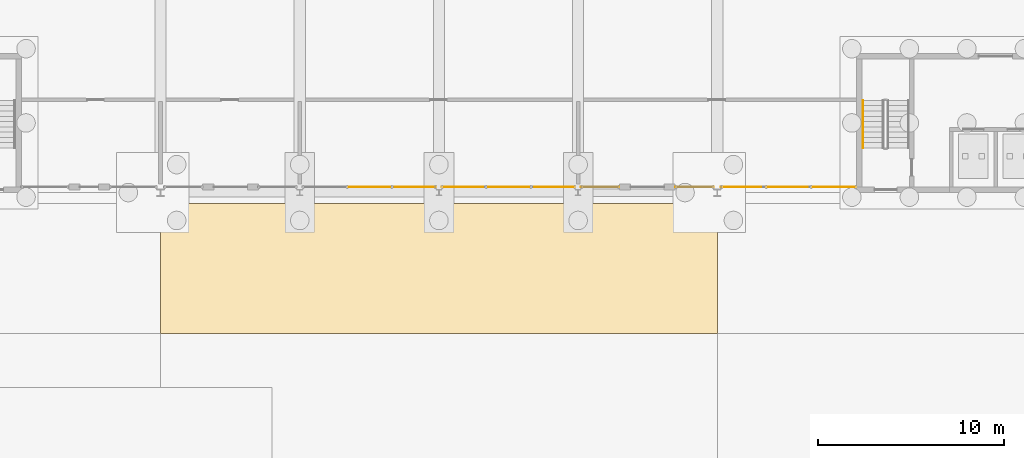
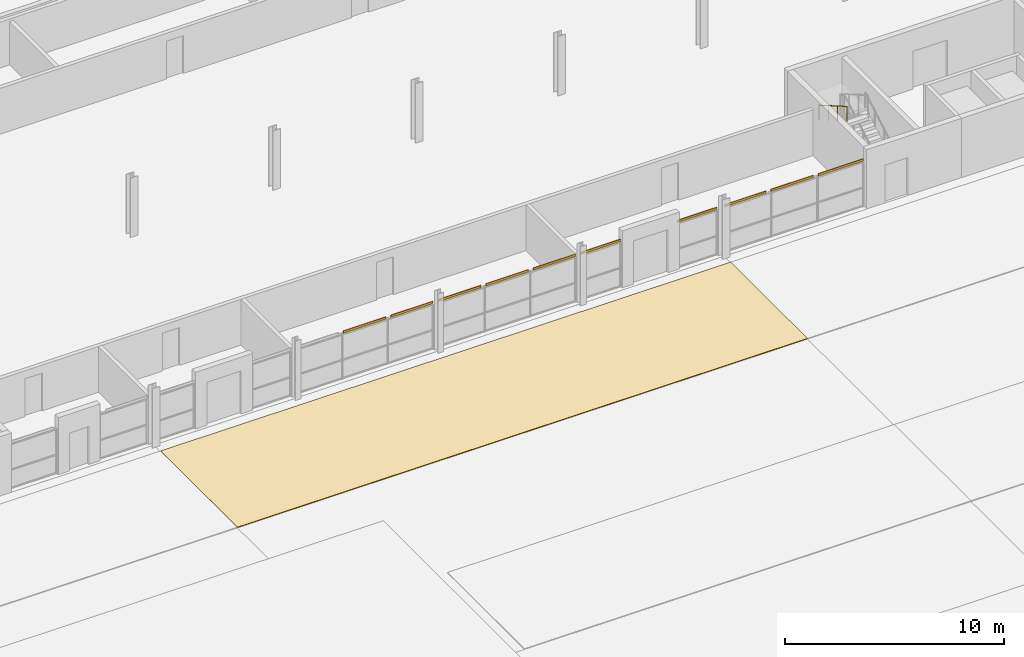
# One storey, part 115 of 130: 11 coverings, 1 railing.
"""IFC4 building model written with IfcOpenShell, lengths in metres."""

import ifcopenshell
import ifcopenshell.guid

model = None  # the IFC model being written
_history = None  # IfcOwnerHistory: only IFC2X3 demands one
_inside = {}  # id of a spatial element -> (the spatial element, [elements in it])
_under = {}  # id of a project, library or spatial element -> (it, [spatial elements below it])
_declared = {}  # id of a project -> (the project, [libraries it declares])
_typed = {}  # id of a type object -> (the type object, [elements of that type])
_made_of = {}  # id of a material, layer set ... -> (it, [elements and type objects made of it])


def new_model(schema):
    """Start an empty IFC model of exactly this schema.

    Asked for "IFC4X3", IfcOpenShell would pick the latest addendum, in which some entities
    have other attributes; the version numbers below select the first issue.
    IFC2X3 requires an IfcOwnerHistory on every rooted entity: one is made here for all.
    """
    global model, _history
    if schema == "IFC4X3":
        model = ifcopenshell.file(schema_version=(4, 3, 0, 0))
    else:
        model = ifcopenshell.file(schema=schema)
    _inside.clear()
    _under.clear()
    _declared.clear()
    _typed.clear()
    _made_of.clear()
    _history = None
    if model.schema == "IFC2X3":
        org = make("IfcOrganization", Name="unknown")
        user = make(
            "IfcPersonAndOrganization",
            ThePerson=make("IfcPerson", FamilyName="unknown"),
            TheOrganization=org,
        )
        app = make(
            "IfcApplication",
            ApplicationDeveloper=org,
            Version="unknown",
            ApplicationFullName="unknown",
            ApplicationIdentifier="unknown",
        )
        _history = make(
            "IfcOwnerHistory",
            OwningUser=user,
            OwningApplication=app,
            ChangeAction="ADDED",
            CreationDate=0,
        )
    return model


def make(cls, **values):
    """One entity of the class cls with the attributes given. An attribute that is None is left unset."""
    return model.create_entity(
        cls, **{name: value for name, value in values.items() if value is not None}
    )


def rooted(cls, **values):
    """An entity with a GlobalId (a new one), such as an element, a storey or a relation."""
    return make(cls, GlobalId=ifcopenshell.guid.new(), OwnerHistory=_history, **values)


def si_unit(unit_type, name, prefix=None):
    """IfcSIUnit, for example si_unit("LENGTHUNIT", "METRE", prefix="MILLI")."""
    return make("IfcSIUnit", UnitType=unit_type, Prefix=prefix, Name=name)


def assignment(units):
    """IfcUnitAssignment: the units of a project."""
    return None if units is None else make("IfcUnitAssignment", Units=units)


def point(xyz):
    """IfcCartesianPoint."""
    return None if xyz is None else make("IfcCartesianPoint", Coordinates=xyz)


def direction(xyz):
    """IfcDirection."""
    return None if xyz is None else make("IfcDirection", DirectionRatios=xyz)


def frame(location, z_axis=None, x_axis=None):
    """IfcAxis2Placement3D, a coordinate frame: its origin and axes. An axis left out is left unset."""
    return make(
        "IfcAxis2Placement3D",
        Location=point(location),
        Axis=direction(z_axis),
        RefDirection=direction(x_axis),
    )


def frame_2d(location, x_axis=None):
    """IfcAxis2Placement2D, a coordinate frame in the plane: its origin and x axis."""
    return make(
        "IfcAxis2Placement2D", Location=point(location), RefDirection=direction(x_axis)
    )


def origin():
    """The frame at (0, 0, 0) with its axes left unset."""
    return frame((0.0, 0.0, 0.0))


def origin_2d():
    """The frame at (0, 0) in the plane with its x axis left unset."""
    return frame_2d((0.0, 0.0))


def place(relative_to, where):
    """IfcLocalPlacement: puts the frame where relative to a parent placement (None: the world)."""
    return make(
        "IfcLocalPlacement", PlacementRelTo=relative_to, RelativePlacement=where
    )


def context(
    kind, dimensions, precision=None, world=None, true_north=None, identifier=None
):
    """IfcGeometricRepresentationContext, for example the 3D "Model" context."""
    return make(
        "IfcGeometricRepresentationContext",
        ContextIdentifier=identifier,
        ContextType=kind,
        CoordinateSpaceDimension=dimensions,
        Precision=precision,
        WorldCoordinateSystem=world,
        TrueNorth=true_north,
    )


def subcontext(parent, identifier, kind, view, scale=None):
    """IfcGeometricRepresentationSubContext, for example "Body" below "Model"."""
    return make(
        "IfcGeometricRepresentationSubContext",
        ContextIdentifier=identifier,
        ContextType=kind,
        ParentContext=parent,
        TargetScale=scale,
        TargetView=view,
    )


def project(units=None, contexts=None):
    """IfcProject with its units and contexts."""
    return rooted(
        "IfcProject",
        Name="project",
        RepresentationContexts=contexts,
        UnitsInContext=assignment(units),
    )


def spatial(cls, under=None, at=None, **own):
    """A site, building, storey or space (cls), placed at a placement, below another one or the project."""
    s = rooted(cls, ObjectPlacement=at, **own)
    if under is not None:
        _under.setdefault(under.id(), (under, []))[1].append(s)
    return s


def polyline(points):
    """IfcPolyline through the points."""
    return make("IfcPolyline", Points=[point(p) for p in points])


def profile(cls, at=None, kind="AREA", **sizes):
    """A parametric profile (cls). Its sizes go by their IFC names, for example OverallWidth=200.0."""
    return make(cls, ProfileType=kind, Position=at, **sizes)


def rectangle(**sizes):
    """IfcRectangleProfileDef."""
    return profile("IfcRectangleProfileDef", **sizes)


def circle(**sizes):
    """IfcCircleProfileDef."""
    return profile("IfcCircleProfileDef", **sizes)


def outline(outer, holes=None, kind="AREA"):
    """IfcArbitraryClosedProfileDef: a profile drawn as a closed curve; with holes, ...WithVoids."""
    if holes is None:
        return make("IfcArbitraryClosedProfileDef", ProfileType=kind, OuterCurve=outer)
    return make(
        "IfcArbitraryProfileDefWithVoids",
        ProfileType=kind,
        OuterCurve=outer,
        InnerCurves=holes,
    )


def extrude(swept, where, along, depth):
    """IfcExtrudedAreaSolid: the profile swept, set in the frame where, extruded along a direction by depth."""
    return make(
        "IfcExtrudedAreaSolid",
        SweptArea=swept,
        Position=where,
        ExtrudedDirection=direction(along),
        Depth=depth,
    )


def shape(context_of_items, identifier, shape_type, items):
    """IfcShapeRepresentation: the items that make up one representation, for example the "Body"."""
    return make(
        "IfcShapeRepresentation",
        ContextOfItems=context_of_items,
        RepresentationIdentifier=identifier,
        RepresentationType=shape_type,
        Items=items,
    )


def material(Name=None, Category=None):
    """IfcMaterial."""
    return make("IfcMaterial", Name=Name, Category=Category)


def layer(
    of_material, thickness, ventilated=None, Name=None, Category=None, Priority=None
):
    """IfcMaterialLayer: one layer of a wall or slab, of a material (None: an air gap)."""
    return make(
        "IfcMaterialLayer",
        Material=of_material,
        LayerThickness=thickness,
        IsVentilated=ventilated,
        Name=Name,
        Category=Category,
        Priority=Priority,
    )


def layer_set(layers, Name=None):
    """IfcMaterialLayerSet."""
    return make("IfcMaterialLayerSet", MaterialLayers=layers, LayerSetName=Name)


def made_of(thing, what):
    """Note that an element or type object is made of a material, layer set ...; save() writes the relation."""
    if what is not None:
        _made_of.setdefault(what.id(), (what, []))[1].append(thing)
    return thing


def type_object(cls, material=None, **own):
    """A type object (cls), such as IfcWallType, which elements share."""
    return made_of(rooted(cls, **own), material)


def element(
    cls,
    number,
    at=None,
    inside=None,
    cuts=None,
    type_object=None,
    material=None,
    context=None,
    identifier="Body",
    shape_type=None,
    held_by="IfcProductDefinitionShape",
    body=None,
    shapes=None,
    **own,
):
    """One element of the class cls, such as IfcWall. Its Tag is "e" and its number.

    at: its placement. inside: the storey or other place that contains it. cuts: it is an
    opening in that element (IfcRelVoidsElement). A single representation is given by context,
    identifier, shape_type and body (its items); several are given by shapes. held_by: the class
    of the entity that holds the representations. save() writes the other relations.
    """
    e = rooted(cls, Tag="e%d" % number, ObjectPlacement=at, **own)
    if body is not None:
        shapes = [shape(context, identifier, shape_type, body)]
    if shapes is not None:
        e.Representation = make(held_by, Representations=shapes)
    if inside is not None:
        _inside.setdefault(inside.id(), (inside, []))[1].append(e)
    if cuts is not None:
        rooted(
            "IfcRelVoidsElement", RelatingBuildingElement=cuts, RelatedOpeningElement=e
        )
    if type_object is not None:
        _typed.setdefault(type_object.id(), (type_object, []))[1].append(e)
    return made_of(e, material)


def aggregate(whole, parts):
    """IfcRelAggregates: a whole, such as a stair, and the parts it consists of."""
    return rooted("IfcRelAggregates", RelatingObject=whole, RelatedObjects=parts)


def save(model, path):
    """Write the relations noted so far, then the file.

    IfcRelAggregates (storeys below a building ...), IfcRelContainedInSpatialStructure (elements
    in a storey), IfcRelDefinesByType, IfcRelAssociatesMaterial and IfcRelDeclares: one each for
    every whole, place, type object, material and project.
    """
    for whole, parts in _under.values():
        aggregate(whole, parts)
    for where, things in _inside.values():
        rooted(
            "IfcRelContainedInSpatialStructure",
            RelatedElements=things,
            RelatingStructure=where,
        )
    for kind, things in _typed.values():
        rooted("IfcRelDefinesByType", RelatedObjects=things, RelatingType=kind)
    for what, things in _made_of.values():
        rooted("IfcRelAssociatesMaterial", RelatedObjects=things, RelatingMaterial=what)
    for by, libraries in _declared.values():
        rooted("IfcRelDeclares", RelatingContext=by, RelatedDefinitions=libraries)
    model.write(path)


model = new_model("IFC4")

# Units and contexts
model_context = context("Model", 3, precision=1e-05, world=origin(), true_north=direction((0.0, 1.0)))
body_context = subcontext(model_context, "Body", "Model", "MODEL_VIEW")
ifc_project = project(units=[si_unit("LENGTHUNIT", "METRE"), si_unit("AREAUNIT", "SQUARE_METRE"), si_unit("VOLUMEUNIT", "CUBIC_METRE"), si_unit("PLANEANGLEUNIT", "RADIAN"), si_unit("MASSUNIT", "GRAM", prefix="KILO")], contexts=[model_context])

# Site, building, storey
site_placement = place(None, origin())
site = spatial("IfcSite", under=ifc_project, at=site_placement, CompositionType="ELEMENT")
building_placement = place(site_placement, origin())
building = spatial("IfcBuilding", under=site, at=building_placement, Name="Parallax Yard Mobility Hub", CompositionType="ELEMENT")
storey_placement = place(building_placement, origin())
storey = spatial("IfcBuildingStorey", under=building, at=storey_placement, Name="L00", CompositionType="ELEMENT", Elevation=0.0)

# Coverings
ifc_material_1 = material(Name="Insulated aluminium spandrel panel", Category="aluminium")
ifc_layer_1 = layer(ifc_material_1, 0.028076171875)
ifc_layer_set_1 = layer_set([ifc_layer_1], Name="Curtain wall spandrel closer, insulated aluminium 28")
covering_type_1 = type_object("IfcCoveringType", Name="Curtain wall spandrel closer, insulated aluminium 28", PredefinedType="CLADDING", material=ifc_layer_set_1)
covering_1_placement = place(storey_placement, frame((101.25, 112.800048828125, 2.5), z_axis=(0.0, 0.0, 1.0), x_axis=(1.0, 0.0, 0.0)))
element("IfcCovering", 1, at=covering_1_placement, inside=storey, type_object=covering_type_1, Name="Curtain wall CW13 level L00 bay 9 spandrel closer 2", ObjectType="SCREEN", PredefinedType="CLADDING", context=body_context, shape_type="SweptSolid", body=[
    extrude(rectangle(XDim=2.251953125, YDim=0.028076171875, at=origin_2d()), origin(), (0.0, 0.0, 1.0), 0.126953125),
])
for number, where, z_axis, x_axis, name in (
    (2, (103.7353515625, 112.800048828125, 2.5), (0.0, 0.0, 1.0), (1.0, 0.0, 0.0), "Curtain wall CW13 level L00 bay 9 spandrel closer 3"),
    (3, (106.2646484375, 112.800048828125, 2.5), (0.0, 0.0, 1.0), (1.0, 0.0, 0.0), "Curtain wall CW14 level L00 bay 10 spandrel closer 1"),
):
    element("IfcCovering", number, at=place(storey_placement, frame(where, z_axis=z_axis, x_axis=x_axis)), inside=storey, type_object=covering_type_1, Name=name, ObjectType="SCREEN", PredefinedType="CLADDING", context=body_context, shape_type="SweptSolid", body=[
        extrude(rectangle(XDim=2.222412109375, YDim=0.028076171875, at=origin_2d()), origin(), (0.0, 0.0, 1.0), 0.126953125),
    ])
covering_2_placement = place(storey_placement, frame((108.75, 112.800048828125, 2.5), z_axis=(0.0, 0.0, 1.0), x_axis=(1.0, 0.0, 0.0)))
element("IfcCovering", 4, at=covering_2_placement, inside=storey, type_object=covering_type_1, Name="Curtain wall CW14 level L00 bay 10 spandrel closer 2", ObjectType="SCREEN", PredefinedType="CLADDING", context=body_context, shape_type="SweptSolid", body=[
    extrude(rectangle(XDim=2.251953125, YDim=0.028076171875, at=origin_2d()), origin(), (0.0, 0.0, 1.0), 0.126953125),
])
covering_3_placement = place(storey_placement, frame((111.2353515625, 112.800048828125, 2.5), z_axis=(0.0, 0.0, 1.0), x_axis=(1.0, 0.0, 0.0)))
element("IfcCovering", 5, at=covering_3_placement, inside=storey, type_object=covering_type_1, Name="Curtain wall CW14 level L00 bay 10 spandrel closer 3", ObjectType="SCREEN", PredefinedType="CLADDING", context=body_context, shape_type="SweptSolid", body=[
    extrude(rectangle(XDim=2.222412109375, YDim=0.028076171875, at=origin_2d()), origin(), (0.0, 0.0, 1.0), 0.126953125),
])
for number, where, z_axis, x_axis, name in (
    (6, (113.69091796875, 112.800048828125, 2.5), (0.0, 0.0, 1.0), (1.0, 0.0, 0.0), "Curtain wall CW15 level L00 bay 11 spandrel closer 1"),
    (7, (118.765625, 112.800048828125, 2.5), (0.0, 0.0, 1.0), (1.0, 0.0, 0.0), "Curtain wall CW16 level L00 bay 11 spandrel closer 1"),
):
    element("IfcCovering", number, at=place(storey_placement, frame(where, z_axis=z_axis, x_axis=x_axis)), inside=storey, type_object=covering_type_1, Name=name, ObjectType="SCREEN", PredefinedType="CLADDING", context=body_context, shape_type="SweptSolid", body=[
        extrude(rectangle(XDim=2.07470703125, YDim=0.028076171875, at=origin_2d()), origin(), (0.0, 0.0, 1.0), 0.126953125),
    ])
covering_4_placement = place(storey_placement, frame((121.28662109375, 112.800048828125, 2.5), z_axis=(0.0, 0.0, 1.0), x_axis=(1.0, 0.0, 0.0)))
element("IfcCovering", 8, at=covering_4_placement, inside=storey, type_object=covering_type_1, Name="Curtain wall CW17 level L00 bay 12 spandrel closer 1", ObjectType="SCREEN", PredefinedType="CLADDING", context=body_context, shape_type="SweptSolid", body=[
    extrude(rectangle(XDim=2.178955078125, YDim=0.028076171875, at=origin_2d()), origin(), (0.0, 0.0, 1.0), 0.126953125),
])
covering_5_placement = place(storey_placement, frame((123.75, 112.800048828125, 2.5), z_axis=(0.0, 0.0, 1.0), x_axis=(1.0, 0.0, 0.0)))
element("IfcCovering", 9, at=covering_5_placement, inside=storey, type_object=covering_type_1, Name="Curtain wall CW17 level L00 bay 12 spandrel closer 2", ObjectType="SCREEN", PredefinedType="CLADDING", context=body_context, shape_type="SweptSolid", body=[
    extrude(rectangle(XDim=2.251953125, YDim=0.028076171875, at=origin_2d()), origin(), (0.0, 0.0, 1.0), 0.126953125),
])
covering_6_placement = place(storey_placement, frame((126.3095703125, 112.800048828125, 2.5), z_axis=(0.0, 0.0, 1.0), x_axis=(1.0, 0.0, 0.0)))
element("IfcCovering", 10, at=covering_6_placement, inside=storey, type_object=covering_type_1, Name="Curtain wall CW17 level L00 bay 12 spandrel closer 3", ObjectType="SCREEN", PredefinedType="CLADDING", context=body_context, shape_type="SweptSolid", body=[
    extrude(rectangle(XDim=2.37109375, YDim=0.028076171875, at=origin_2d()), origin(), (0.0, 0.0, 1.0), 0.126953125),
])
ifc_material_2 = material(Name="Concrete fc' 30 MPa", Category="concrete")
ifc_layer_2 = layer(ifc_material_2, 0.0400390625)
ifc_layer_set_2 = layer_set([ifc_layer_2], Name="Footway paving, Concrete fc' 30 MPa pavers 40")
covering_type_2 = type_object("IfcCoveringType", Name="Footway paving, Concrete fc' 30 MPa pavers 40", PredefinedType="USERDEFINED", material=ifc_layer_set_2)
covering_7_placement = place(storey_placement, origin())
element("IfcCovering", 11, at=covering_7_placement, inside=storey, type_object=covering_type_2, Name="Yard footway north surfacing 4", ObjectType="PAVING", PredefinedType="USERDEFINED", context=body_context, shape_type="SweptSolid", body=[
    extrude(outline(polyline([(90.0, 104.89990234375), (90.0, 111.89990234375), (90.10009765625, 111.89990234375), (97.39990234375, 111.89990234375), (97.60009765625, 111.89990234375), (112.39990234375, 111.89990234375), (112.60009765625, 111.89990234375), (120.0, 111.89990234375), (120.0, 104.89990234375), (90.0, 104.89990234375)])), origin(), (0.0, 0.0, 1.0), 0.0400390625),
])

# Railing
ifc_material_3 = material(Name="Steel ASTM A36", Category="steel")
railing_type = type_object("IfcRailingType", Name="Stair handrail", PredefinedType="HANDRAIL", material=ifc_material_3)
railing_placement = place(storey_placement, frame((127.85009765625, 117.465087890625, 1.81494140625)))
element("IfcRailing", 12, at=railing_placement, inside=storey, type_object=railing_type, Name="L00 ST6 stair handrail 2", PredefinedType="HANDRAIL", context=body_context, shape_type="SweptSolid", body=[
    extrude(circle(Radius=0.02392578125, at=origin_2d()), frame((0.0, 0.0, 0.8310546875), z_axis=(0.0, -0.865426285481, 0.501036270542), x_axis=(1.0, 0.0, 0.0)), (0.0, 0.0, 1.0), 2.964111328125),
    extrude(circle(Radius=0.02099609375, at=origin_2d()), origin(), (0.0, 0.0, 1.0), 0.806884765625),
    extrude(circle(Radius=0.02099609375, at=origin_2d()), frame((0.0, -0.85498046875, 0.4951171875)), (0.0, 0.0, 1.0), 0.806884765625),
    extrude(circle(Radius=0.02099609375, at=origin_2d()), frame((0.0, -1.710205078125, 0.989990234375)), (0.0, 0.0, 1.0), 0.806884765625),
    extrude(circle(Radius=0.02099609375, at=origin_2d()), frame((0.0, -2.565185546875, 1.485107421875)), (0.0, 0.0, 1.0), 0.806884765625),
])

save(model, "model.ifc")
